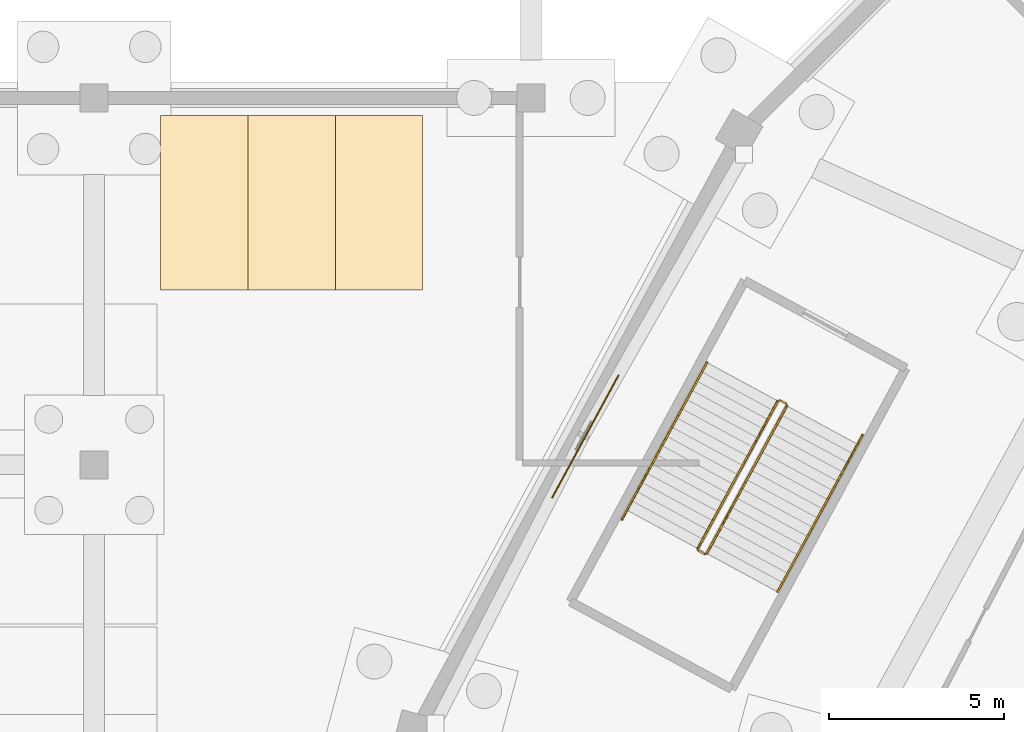
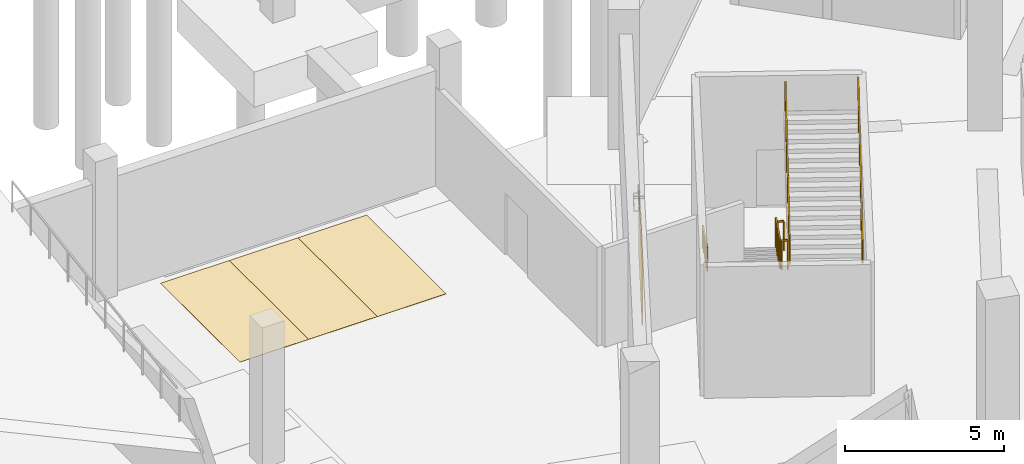
# One storey, part 60 of 74: 6 railings, 4 coverings.
"""IFC4 building model written with IfcOpenShell, lengths in metres."""

from ifc_helpers import new_model, si_unit, direction, frame, origin, origin_2d, place, context, subcontext, project, spatial, polyline, rectangle, outline, extrude, material, layer, layer_set, type_object, element, save


model = new_model("IFC4")

# Units and contexts
model_context = context("Model", 3, precision=1e-05, world=origin(), true_north=direction((0.0, 1.0)))
body_context = subcontext(model_context, "Body", "Model", "MODEL_VIEW")
ifc_project = project(units=[si_unit("LENGTHUNIT", "METRE"), si_unit("AREAUNIT", "SQUARE_METRE"), si_unit("VOLUMEUNIT", "CUBIC_METRE"), si_unit("PLANEANGLEUNIT", "RADIAN"), si_unit("MASSUNIT", "GRAM", prefix="KILO")], contexts=[model_context])

# Site, building, storey
site_placement = place(None, origin())
site = spatial("IfcSite", under=ifc_project, at=site_placement, CompositionType="ELEMENT")
building_placement = place(site_placement, origin())
building = spatial("IfcBuilding", under=site, at=building_placement, Name="Zlatoyarsky Gate Stadium", CompositionType="ELEMENT")
storey_placement = place(building_placement, frame((0.0, 0.0, -5.39990234375)))
storey = spatial("IfcBuildingStorey", under=building, at=storey_placement, Name="B1", CompositionType="ELEMENT", Elevation=-5.39990234375)

# Coverings
ifc_material_1 = material(Name="Reflective epoxy resin parking bay marking")
ifc_layer_1 = layer(ifc_material_1, 0.010009765625)
ifc_layer_set_1 = layer_set([ifc_layer_1], Name="Reflective epoxy resin parking bay marking")
covering_type_1 = type_object("IfcCoveringType", Name="EPOXY PAINTED PARKING BAY MARKING 10", PredefinedType="USERDEFINED", material=ifc_layer_set_1)
covering_1_placement = place(storey_placement, origin())
element("IfcCovering", 1, at=covering_1_placement, inside=storey, type_object=covering_type_1, Name="VIP Parking Bay Marking PK-VIP-04", ObjectType="ROAD MARKING", PredefinedType="USERDEFINED", context=body_context, shape_type="SweptSolid", body=[
    extrude(outline(polyline([(13.89990234375, 111.0), (16.39990234375, 111.0), (16.39990234375, 116.0), (13.89990234375, 116.0), (13.89990234375, 111.0)])), origin(), (0.0, 0.0, 1.0), 0.010009765625),
])
covering_2_placement = place(storey_placement, origin())
element("IfcCovering", 2, at=covering_2_placement, inside=storey, type_object=covering_type_1, Name="VIP Parking Bay Marking PK-VIP-05", ObjectType="ROAD MARKING", PredefinedType="USERDEFINED", context=body_context, shape_type="SweptSolid", body=[
    extrude(outline(polyline([(16.39990234375, 111.0), (18.89990234375, 111.0), (18.89990234375, 116.0), (16.39990234375, 116.0), (16.39990234375, 111.0)])), origin(), (0.0, 0.0, 1.0), 0.010009765625),
])
covering_3_placement = place(storey_placement, origin())
element("IfcCovering", 3, at=covering_3_placement, inside=storey, type_object=covering_type_1, Name="VIP Parking Bay Marking PK-VIP-06", ObjectType="ROAD MARKING", PredefinedType="USERDEFINED", context=body_context, shape_type="SweptSolid", body=[
    extrude(outline(polyline([(18.89990234375, 111.0), (21.39990234375, 111.0), (21.39990234375, 116.0), (18.89990234375, 116.0), (18.89990234375, 111.0)])), origin(), (0.0, 0.0, 1.0), 0.010009765625),
])
ifc_material_2 = material(Name="Fire-retardant birch timber acoustic wall panel", Category="wood")
ifc_layer_2 = layer(ifc_material_2, 0.034912109375)
ifc_layer_set_2 = layer_set([ifc_layer_2], Name="Fire-retardant birch timber acoustic wall panel")
covering_type_2 = type_object("IfcCoveringType", Name="FLUTED BIRCH ACOUSTIC WALL CLADDING 35", PredefinedType="CLADDING", material=ifc_layer_set_2)
covering_4_placement = place(storey_placement, frame((26.057861328125, 106.811767578125, 1.099853515625), z_axis=(0.0, 0.0, 1.0), x_axis=(-0.476952507557, -0.878929067408, 0.0)))
element("IfcCovering", 4, at=covering_4_placement, inside=storey, type_object=covering_type_2, Name="B1 acoustic timber wall cladding 04", PredefinedType="CLADDING", context=body_context, shape_type="SweptSolid", body=[
    extrude(rectangle(XDim=4.0, YDim=0.034912109375, at=origin_2d()), origin(), (0.0, 0.0, 1.0), 2.39990234375),
])

# Railings
ifc_material_3 = material(Name="Powder-coated steel stair guardrail", Category="steel")
railing_type_1 = type_object("IfcRailingType", Name="PAINTED STEEL STAIR WELL GUARDRAIL 1150", PredefinedType="GUARDRAIL", material=ifc_material_3)
railing_1_placement = place(storey_placement, frame((31.562744140625, 107.824951171875, 0.15869140625)))
element("IfcRailing", 5, at=railing_1_placement, inside=storey, type_object=railing_type_1, Name="ST-06 B1 stair guard 1", PredefinedType="GUARDRAIL", context=body_context, shape_type="SweptSolid", body=[
    extrude(rectangle(XDim=0.048095703125, YDim=0.048095703125, at=origin_2d()), frame((0.0, 0.0, 1.1259765625), z_axis=(-0.421466855594, -0.776809804983, 0.467901930448), x_axis=(0.878962478599, -0.4768909322, 0.0)), (0.0, 0.0, 1.0), 5.43115234375),
    extrude(rectangle(XDim=0.0419921875, YDim=0.0419921875, at=origin_2d()), origin(), (0.0, 0.0, 1.0), 1.101806640625),
    extrude(rectangle(XDim=0.0419921875, YDim=0.0419921875, at=origin_2d()), frame((-0.457763671875, -0.84375, 0.50830078125)), (0.0, 0.0, 1.0), 1.101806640625),
    extrude(rectangle(XDim=0.0419921875, YDim=0.0419921875, at=origin_2d()), frame((-0.91552734375, -1.6875, 1.0166015625)), (0.0, 0.0, 1.0), 1.101806640625),
    extrude(rectangle(XDim=0.0419921875, YDim=0.0419921875, at=origin_2d()), frame((-1.37353515625, -2.531494140625, 1.524658203125)), (0.0, 0.0, 1.0), 1.101806640625),
    extrude(rectangle(XDim=0.0419921875, YDim=0.0419921875, at=origin_2d()), frame((-1.831298828125, -3.375244140625, 2.032958984375)), (0.0, 0.0, 1.0), 1.101806640625),
    extrude(rectangle(XDim=0.0419921875, YDim=0.0419921875, at=origin_2d()), frame((-2.2890625, -4.218994140625, 2.541259765625)), (0.0, 0.0, 1.0), 1.101806640625),
])
railing_2_placement = place(storey_placement, frame((29.293701171875, 103.538330078125, 2.699951171875)))
element("IfcRailing", 6, at=railing_2_placement, inside=storey, type_object=railing_type_1, Name="ST-06 B1 stair guard 2", PredefinedType="GUARDRAIL", context=body_context, shape_type="SweptSolid", body=[
    extrude(rectangle(XDim=0.048095703125, YDim=0.048095703125, at=origin_2d()), frame((0.0, 0.0, 1.1259765625), z_axis=(0.878780312785, -0.477226530971, 0.0), x_axis=(0.477226530971, 0.878780312785, 0.0)), (0.0, 0.0, 1.0), 0.199951171875),
    extrude(rectangle(XDim=0.0419921875, YDim=0.0419921875, at=origin_2d()), origin(), (0.0, 0.0, 1.0), 1.101806640625),
    extrude(rectangle(XDim=0.0419921875, YDim=0.0419921875, at=origin_2d()), frame((0.17578125, -0.095458984375, 0.0)), (0.0, 0.0, 1.0), 1.101806640625),
])
railing_3_placement = place(storey_placement, frame((29.537353515625, 103.462890625, 2.858642578125)))
element("IfcRailing", 7, at=railing_3_placement, inside=storey, type_object=railing_type_1, Name="ST-06 B1 stair guard 3", PredefinedType="GUARDRAIL", context=body_context, shape_type="SweptSolid", body=[
    extrude(rectangle(XDim=0.048095703125, YDim=0.048095703125, at=origin_2d()), frame((0.0, 0.0, 1.1259765625), z_axis=(0.421466855594, 0.776809804983, 0.467901930448), x_axis=(-0.878962478599, 0.4768909322, 0.0)), (0.0, 0.0, 1.0), 5.43115234375),
    extrude(rectangle(XDim=0.0419921875, YDim=0.0419921875, at=origin_2d()), origin(), (0.0, 0.0, 1.0), 1.101806640625),
    extrude(rectangle(XDim=0.0419921875, YDim=0.0419921875, at=origin_2d()), frame((0.457763671875, 0.84375, 0.50830078125)), (0.0, 0.0, 1.0), 1.101806640625),
    extrude(rectangle(XDim=0.0419921875, YDim=0.0419921875, at=origin_2d()), frame((0.91552734375, 1.6875, 1.0166015625)), (0.0, 0.0, 1.0), 1.101806640625),
    extrude(rectangle(XDim=0.0419921875, YDim=0.0419921875, at=origin_2d()), frame((1.37353515625, 2.531494140625, 1.524658203125)), (0.0, 0.0, 1.0), 1.101806640625),
    extrude(rectangle(XDim=0.0419921875, YDim=0.0419921875, at=origin_2d()), frame((1.831298828125, 3.375244140625, 2.032958984375)), (0.0, 0.0, 1.0), 1.101806640625),
    extrude(rectangle(XDim=0.0419921875, YDim=0.0419921875, at=origin_2d()), frame((2.2890625, 4.218994140625, 2.541259765625)), (0.0, 0.0, 1.0), 1.101806640625),
])
railing_4_placement = place(storey_placement, frame((31.63037109375, 107.84521484375, 0.0)))
element("IfcRailing", 8, at=railing_4_placement, inside=storey, type_object=railing_type_1, Name="ST-06 B1 stair guard 4", PredefinedType="GUARDRAIL", context=body_context, shape_type="SweptSolid", body=[
    extrude(rectangle(XDim=0.048095703125, YDim=0.048095703125, at=origin_2d()), frame((0.0, 0.0, 1.1259765625), z_axis=(0.878780312785, -0.477226530971, 0.0), x_axis=(0.477226530971, 0.878780312785, 0.0)), (0.0, 0.0, 1.0), 0.199951171875),
    extrude(rectangle(XDim=0.0419921875, YDim=0.0419921875, at=origin_2d()), origin(), (0.0, 0.0, 1.0), 1.101806640625),
    extrude(rectangle(XDim=0.0419921875, YDim=0.0419921875, at=origin_2d()), frame((0.17578125, -0.095458984375, 0.0)), (0.0, 0.0, 1.0), 1.101806640625),
])
ifc_material_4 = material(Name="Brushed stainless steel 316 handrail", Category="steel")
railing_type_2 = type_object("IfcRailingType", Name="STAINLESS STEEL TUBULAR HANDRAIL 900", PredefinedType="HANDRAIL", material=ifc_material_4)
railing_5_placement = place(storey_placement, frame((29.541015625, 108.921875, 0.162841796875)))
element("IfcRailing", 9, at=railing_5_placement, inside=storey, type_object=railing_type_2, Name="ST-06 B1 stair handrail 1", PredefinedType="HANDRAIL", context=body_context, shape_type="SweptSolid", body=[
    extrude(rectangle(XDim=0.048095703125, YDim=0.048095703125, at=origin_2d()), frame((0.0, 0.0, 0.8759765625), z_axis=(-0.421472414376, -0.776817406179, 0.467884303411), x_axis=(0.878961798155, -0.476892186331, 0.0)), (0.0, 0.0, 1.0), 5.7705078125),
    extrude(rectangle(XDim=0.0419921875, YDim=0.0419921875, at=origin_2d()), origin(), (0.0, 0.0, 1.0), 0.851806640625),
    extrude(rectangle(XDim=0.0419921875, YDim=0.0419921875, at=origin_2d()), frame((-0.486328125, -0.896484375, 0.5400390625)), (0.0, 0.0, 1.0), 0.851806640625),
    extrude(rectangle(XDim=0.0419921875, YDim=0.0419921875, at=origin_2d()), frame((-0.972900390625, -1.79296875, 1.080078125)), (0.0, 0.0, 1.0), 0.851806640625),
    extrude(rectangle(XDim=0.0419921875, YDim=0.0419921875, at=origin_2d()), frame((-1.459228515625, -2.689697265625, 1.619873046875)), (0.0, 0.0, 1.0), 0.851806640625),
    extrude(rectangle(XDim=0.0419921875, YDim=0.0419921875, at=origin_2d()), frame((-1.94580078125, -3.586181640625, 2.159912109375)), (0.0, 0.0, 1.0), 0.851806640625),
    extrude(rectangle(XDim=0.0419921875, YDim=0.0419921875, at=origin_2d()), frame((-2.43212890625, -4.482666015625, 2.699951171875)), (0.0, 0.0, 1.0), 0.851806640625),
])
railing_6_placement = place(storey_placement, frame((31.558837890625, 102.3662109375, 2.86279296875)))
element("IfcRailing", 10, at=railing_6_placement, inside=storey, type_object=railing_type_2, Name="ST-06 B1 stair handrail 2", PredefinedType="HANDRAIL", context=body_context, shape_type="SweptSolid", body=[
    extrude(rectangle(XDim=0.048095703125, YDim=0.048095703125, at=origin_2d()), frame((0.0, 0.0, 0.8759765625), z_axis=(0.421472414376, 0.776817406179, 0.467884303411), x_axis=(-0.878961798155, 0.476892186331, 0.0)), (0.0, 0.0, 1.0), 5.7705078125),
    extrude(rectangle(XDim=0.0419921875, YDim=0.0419921875, at=origin_2d()), origin(), (0.0, 0.0, 1.0), 0.851806640625),
    extrude(rectangle(XDim=0.0419921875, YDim=0.0419921875, at=origin_2d()), frame((0.486328125, 0.896484375, 0.5400390625)), (0.0, 0.0, 1.0), 0.851806640625),
    extrude(rectangle(XDim=0.0419921875, YDim=0.0419921875, at=origin_2d()), frame((0.972900390625, 1.79296875, 1.080078125)), (0.0, 0.0, 1.0), 0.851806640625),
    extrude(rectangle(XDim=0.0419921875, YDim=0.0419921875, at=origin_2d()), frame((1.459228515625, 2.689697265625, 1.619873046875)), (0.0, 0.0, 1.0), 0.851806640625),
    extrude(rectangle(XDim=0.0419921875, YDim=0.0419921875, at=origin_2d()), frame((1.94580078125, 3.586181640625, 2.159912109375)), (0.0, 0.0, 1.0), 0.851806640625),
    extrude(rectangle(XDim=0.0419921875, YDim=0.0419921875, at=origin_2d()), frame((2.43212890625, 4.482666015625, 2.699951171875)), (0.0, 0.0, 1.0), 0.851806640625),
])

save(model, "model.ifc")
